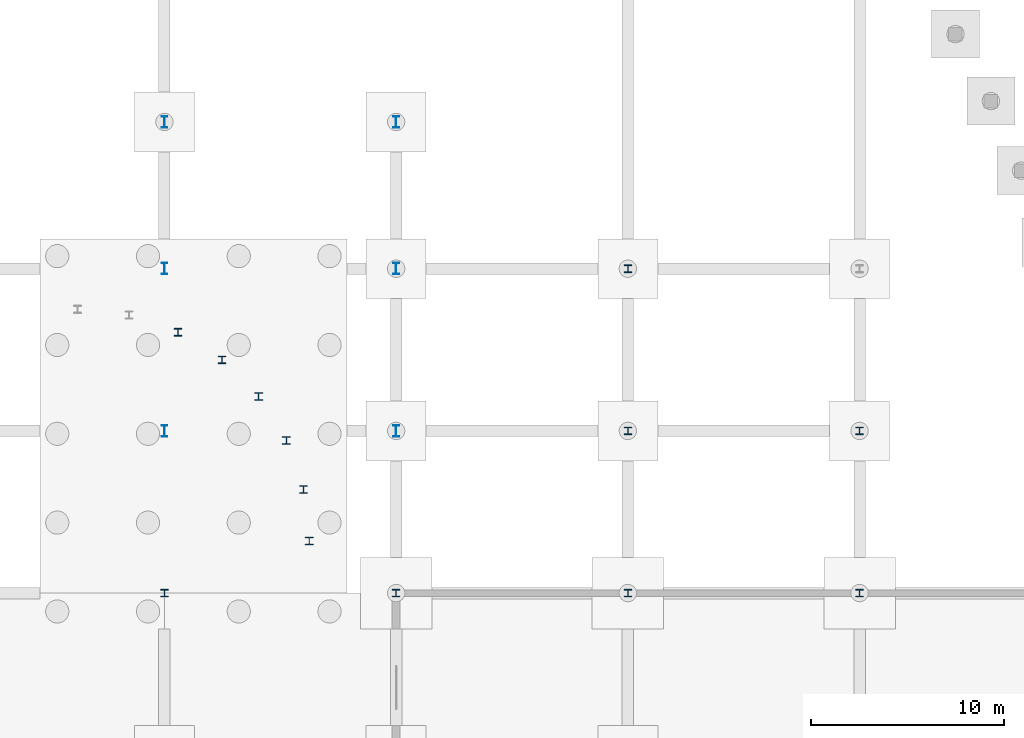
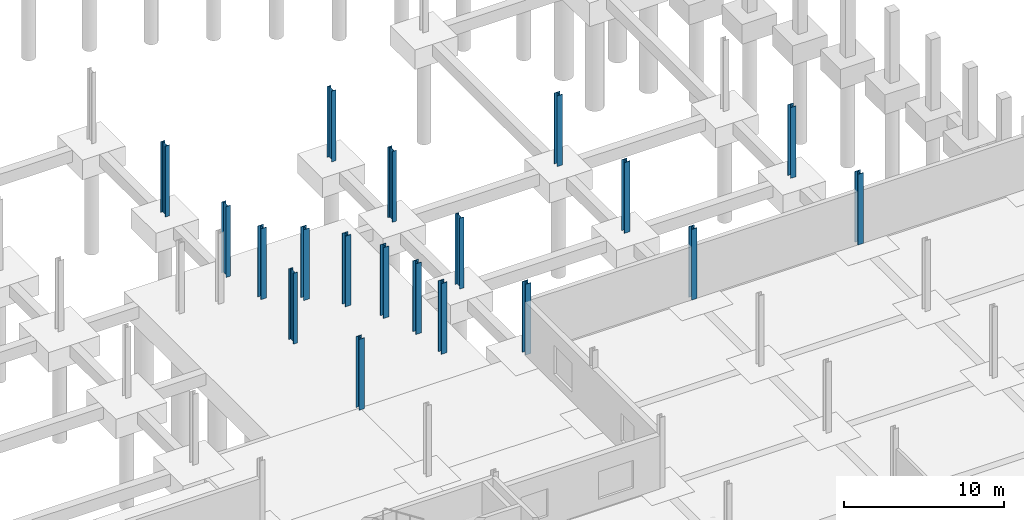
# One storey, part 18 of 36: 19 columns.
"""IFC4 building model written with IfcOpenShell, lengths in metres."""

from ifc_helpers import new_model, si_unit, direction, frame, origin, origin_2d, place, context, subcontext, project, spatial, i_section, extrude, material, material_profile, profile_set, type_object, element, save


model = new_model("IFC4")

# Units and contexts
model_context = context("Model", 3, precision=1e-05, world=origin(), true_north=direction((0.0, 1.0)))
body_context = subcontext(model_context, "Body", "Model", "MODEL_VIEW")
ifc_project = project(units=[si_unit("LENGTHUNIT", "METRE"), si_unit("AREAUNIT", "SQUARE_METRE"), si_unit("VOLUMEUNIT", "CUBIC_METRE"), si_unit("PLANEANGLEUNIT", "RADIAN"), si_unit("MASSUNIT", "GRAM", prefix="KILO"), si_unit("THERMODYNAMICTEMPERATUREUNIT", "KELVIN"), si_unit("POWERUNIT", "WATT")], contexts=[model_context])

# Site, building, storey
site_placement = place(None, origin())
site = spatial("IfcSite", under=ifc_project, at=site_placement, CompositionType="ELEMENT")
building_placement = place(site_placement, origin())
building = spatial("IfcBuilding", under=site, at=building_placement, Name="Tembeka Court Mobility Hub", CompositionType="ELEMENT")
storey_placement = place(building_placement, frame((0.0, 0.0, -5.39990234375)))
storey = spatial("IfcBuildingStorey", under=building, at=storey_placement, Name="B1", CompositionType="ELEMENT", Elevation=-5.39990234375)

# Columns
ifc_material = material(Name="Steel S355", Category="steel")
ifc_material_profile_1 = material_profile(ifc_material, i_section(OverallWidth=0.39892578125, OverallDepth=0.39404296875, WebThickness=0.022705078125, FlangeThickness=0.03662109375, FilletRadius=0.01513671875, at=origin_2d()), Name="UKC 356x406x287")
ifc_profile_set_1 = profile_set([ifc_material_profile_1], Name="Steel S355")
column_type_1 = type_object("IfcColumnType", Name="COL-C01", PredefinedType="COLUMN", material=ifc_profile_set_1)
for number, where, z_axis, x_axis, name in (
    (1, (128.39990234375, 63.60009765625, 0.0), (0.0, 0.0, 1.0), (1.0, 0.0, 0.0), "Column C01 (B1-179)"),
    (2, (129.106689453125, 77.111572265625, 0.0), (0.0, 0.0, 1.0), (1.0, 0.0, 0.0), "Column C01 (B1-184)"),
    (3, (131.3818359375, 75.681884765625, 0.0), (0.0, 0.0, 1.0), (1.0, 0.0, 0.0), "Column C01 (B1-185)"),
    (4, (133.281982421875, 73.781982421875, 0.0), (0.0, 0.0, 1.0), (1.0, 0.0, 0.0), "Column C01 (B1-187)"),
    (5, (134.711669921875, 71.506591796875, 0.0), (0.0, 0.0, 1.0), (1.0, 0.0, 0.0), "Column C01 (B1-188)"),
    (6, (135.59912109375, 68.97021484375, 0.0), (0.0, 0.0, 1.0), (1.0, 0.0, 0.0), "Column C01 (B1-190)"),
    (7, (135.89990234375, 66.300048828125, 0.0), (0.0, 0.0, 1.0), (1.0, 0.0, 0.0), "Column C01 (B1-191)"),
    (8, (140.39990234375, 63.60009765625, 0.0), (0.0, 0.0, 1.0), (1.0, 0.0, 0.0), "Column C01 (B1-199)"),
    (9, (152.39990234375, 63.60009765625, 0.0), (0.0, 0.0, 1.0), (1.0, 0.0, 0.0), "Column C01 (B1-212)"),
    (10, (152.39990234375, 72.0, 0.0), (0.0, 0.0, 1.0), (1.0, 0.0, 0.0), "Column C01 (B1-213)"),
    (11, (152.39990234375, 80.39990234375, 0.0), (0.0, 0.0, 1.0), (1.0, 0.0, 0.0), "Column C01 (B1-214)"),
    (12, (164.39990234375, 63.60009765625, 0.0), (0.0, 0.0, 1.0), (1.0, 0.0, 0.0), "Column C01 (B1-226)"),
    (13, (164.39990234375, 72.0, 0.0), (0.0, 0.0, 1.0), (1.0, 0.0, 0.0), "Column C01 (B1-227)"),
):
    element("IfcColumn", number, at=place(storey_placement, frame(where, z_axis=z_axis, x_axis=x_axis)), inside=storey, type_object=column_type_1, Name=name, PredefinedType="COLUMN", context=body_context, shape_type="SweptSolid", body=[
        extrude(i_section(OverallWidth=0.39892578125, OverallDepth=0.39404296875, WebThickness=0.022705078125, FlangeThickness=0.03662109375, FilletRadius=0.01513671875, at=origin_2d()), origin(), (0.0, 0.0, 1.0), 5.39990234375),
    ])
ifc_material_profile_2 = material_profile(ifc_material, i_section(OverallWidth=0.300048828125, OverallDepth=0.60009765625, WebThickness=0.015380859375, FlangeThickness=0.030029296875, FilletRadius=0.027099609375, at=origin_2d()), Name="HEB 600")
ifc_profile_set_2 = profile_set([ifc_material_profile_2], Name="Steel S355")
column_type_2 = type_object("IfcColumnType", Name="COL-C06", PredefinedType="COLUMN", material=ifc_profile_set_2)
for number, where, z_axis, x_axis, name in (
    (14, (128.39990234375, 72.0, 0.0), (0.0, 0.0, 1.0), (1.0, 0.0, 0.0), "Column C06 (B1-180)"),
    (15, (128.39990234375, 80.39990234375, 0.0), (0.0, 0.0, 1.0), (1.0, 0.0, 0.0), "Column C06 (B1-181)"),
    (16, (128.39990234375, 88.0, 0.0), (0.0, 0.0, 1.0), (1.0, 0.0, 0.0), "Column C06 (B1-182)"),
    (17, (140.39990234375, 72.0, 0.0), (0.0, 0.0, 1.0), (1.0, 0.0, 0.0), "Column C06 (B1-200)"),
    (18, (140.39990234375, 80.39990234375, 0.0), (0.0, 0.0, 1.0), (1.0, 0.0, 0.0), "Column C06 (B1-201)"),
    (19, (140.39990234375, 88.0, 0.0), (0.0, 0.0, 1.0), (1.0, 0.0, 0.0), "Column C06 (B1-202)"),
):
    element("IfcColumn", number, at=place(storey_placement, frame(where, z_axis=z_axis, x_axis=x_axis)), inside=storey, type_object=column_type_2, Name=name, PredefinedType="COLUMN", context=body_context, shape_type="SweptSolid", body=[
        extrude(i_section(OverallWidth=0.300048828125, OverallDepth=0.60009765625, WebThickness=0.015380859375, FlangeThickness=0.030029296875, FilletRadius=0.027099609375, at=origin_2d()), origin(), (0.0, 0.0, 1.0), 5.39990234375),
    ])

save(model, "model.ifc")
